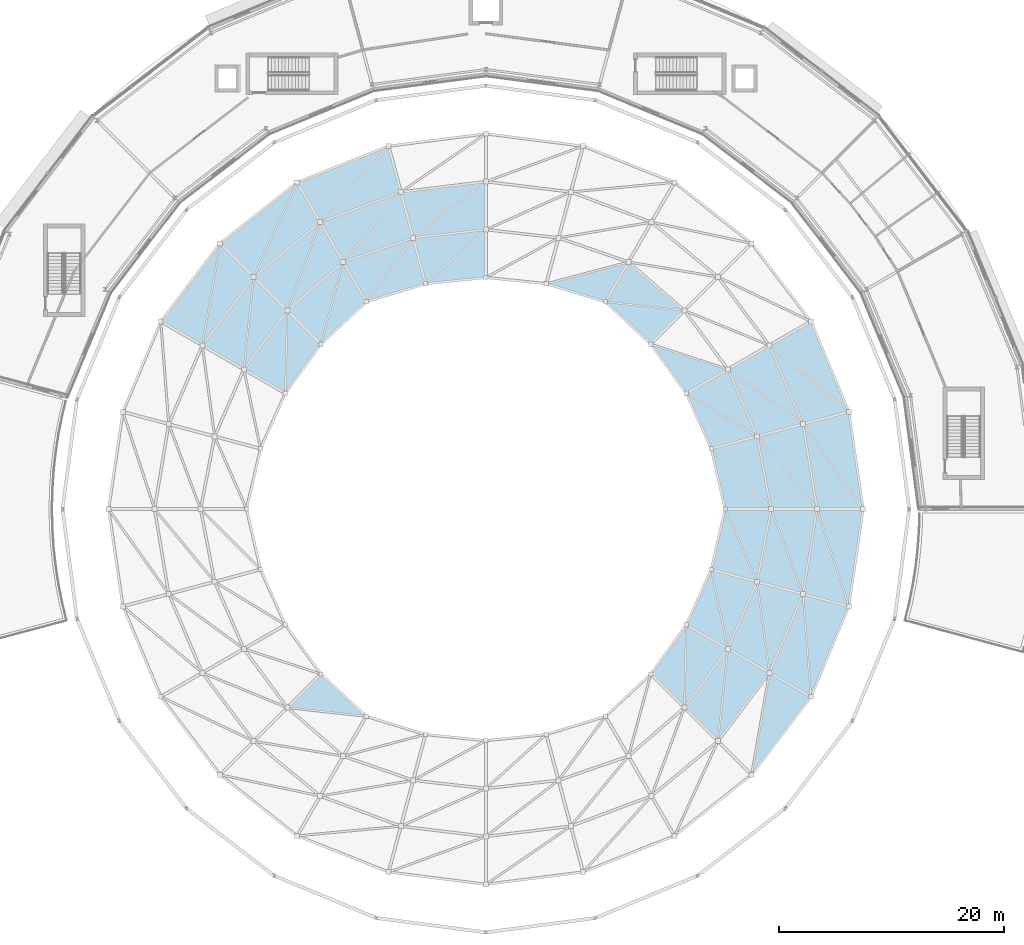
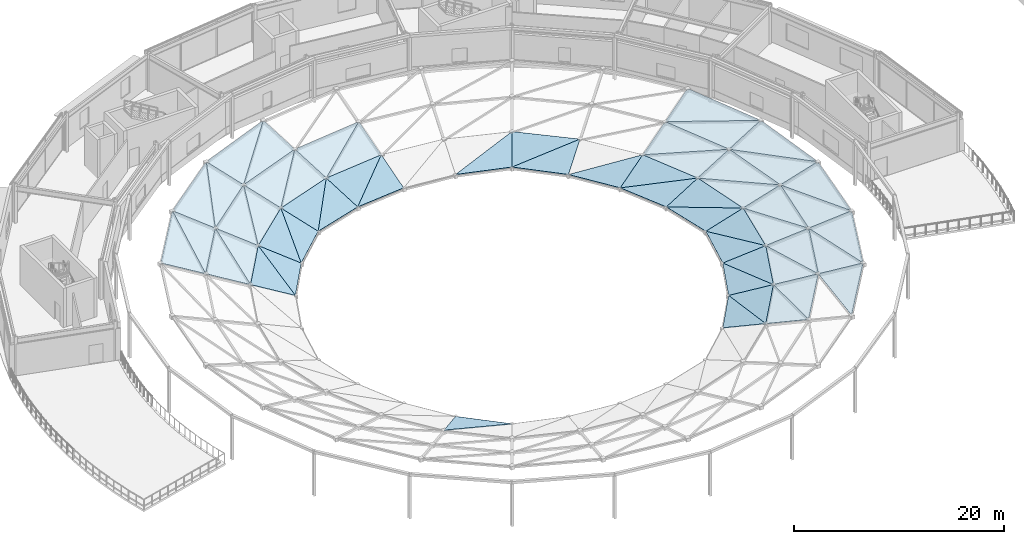
# One storey, part 71 of 89: 56 roofs.
"""IFC4 building model written with IfcOpenShell, lengths in metres."""

from ifc_helpers import new_model, si_unit, direction, frame, origin, place, context, subcontext, project, spatial, polyline, outline, extrude, material, layer, layer_set, type_object, element, save


model = new_model("IFC4")

# Units and contexts
model_context = context("Model", 3, precision=1e-05, world=origin(), true_north=direction((0.0, 1.0)))
body_context = subcontext(model_context, "Body", "Model", "MODEL_VIEW")
ifc_project = project(units=[si_unit("LENGTHUNIT", "METRE"), si_unit("AREAUNIT", "SQUARE_METRE"), si_unit("VOLUMEUNIT", "CUBIC_METRE"), si_unit("PLANEANGLEUNIT", "RADIAN"), si_unit("MASSUNIT", "GRAM", prefix="KILO")], contexts=[model_context])

# Site, building, storey
site_placement = place(None, origin())
site = spatial("IfcSite", under=ifc_project, at=site_placement, CompositionType="ELEMENT")
building_placement = place(site_placement, origin())
building = spatial("IfcBuilding", under=site, at=building_placement, Name="Almandine Court Research Institute", CompositionType="ELEMENT")
storey_placement = place(building_placement, frame((0.0, 0.0, 18.89990234375)))
storey = spatial("IfcBuildingStorey", under=building, at=storey_placement, Name="L04", CompositionType="ELEMENT", Elevation=18.89990234375)

# Roofs
ifc_material = material(Name="Insulated Laminated Low-E Glass Roof Panel", Category="glass")
ifc_layer = layer(ifc_material, 0.080078125)
ifc_layer_set = layer_set([ifc_layer], Name="Insulated Laminated Low-E Glass Roof Panel")
roof_type = type_object("IfcRoofType", Name="Roof-GS-Facet", PredefinedType="PAVILION_ROOF", material=ifc_layer_set)
roof_1_placement = place(storey_placement, frame((120.556884765625, 56.0, 4.153076171875), z_axis=(-0.283826068415, -0.041732060068, 0.957967221804), x_axis=(-0.145469875543, 0.989362681381, 0.0)))
element("IfcRoof", 1, at=roof_1_placement, inside=storey, type_object=roof_type, Name="Atrium Conical Gridshell Roof Facet R1-S00-1", PredefinedType="PAVILION_ROOF", context=body_context, shape_type="SweptSolid", body=[
    extrude(outline(polyline([(0.0, 0.0), (8.743890454989065, 0.0), (8.255346056505834, 4.381937585044748), (0.0, 0.0)])), origin(), (0.0, 0.0, -1.0), 0.080078125),
])
roof_2_placement = place(storey_placement, frame((120.556884765625, 56.0, 4.153076171875), z_axis=(-0.293257096224, -0.048944081643, 0.954779949719), x_axis=(-0.572851388472, 0.80854851926, -0.134501222036)))
element("IfcRoof", 2, at=roof_2_placement, inside=storey, type_object=roof_type, Name="Atrium Conical Gridshell Roof Facet R1-S00-2", PredefinedType="PAVILION_ROOF", context=body_context, shape_type="SweptSolid", body=[
    extrude(outline(polyline([(0.0, 0.0), (9.346235365744553, 7.216449660063518e-16), (2.5136297530763567, 3.4659356886667148), (0.0, 0.0)])), origin(), (0.0, 0.0, -1.0), 0.080078125),
])
roof_3_placement = place(storey_placement, frame((119.284912109375, 64.65087890625, 4.153076171875), z_axis=(-0.262629757854, -0.110160010467, 0.958587701978), x_axis=(-0.386801181098, 0.922163134321, 0.0)))
element("IfcRoof", 3, at=roof_3_placement, inside=storey, type_object=roof_type, Name="Atrium Conical Gridshell Roof Facet R1-S01-1", PredefinedType="PAVILION_ROOF", context=body_context, shape_type="SweptSolid", body=[
    extrude(outline(polyline([(0.0, 0.0), (8.719732253142961, 0.0), (8.182710813275477, 4.413943470876931), (0.0, 0.0)])), origin(), (0.0, 0.0, -1.0), 0.080078125),
])
roof_4_placement = place(storey_placement, frame((119.284912109375, 64.65087890625, 4.153076171875), z_axis=(-0.264695769348, -0.112817517031, 0.957709954809), x_axis=(-0.760102396588, 0.635580681511, -0.135209260003)))
element("IfcRoof", 4, at=roof_4_placement, inside=storey, type_object=roof_type, Name="Atrium Conical Gridshell Roof Facet R1-S01-2", PredefinedType="PAVILION_ROOF", context=body_context, shape_type="SweptSolid", body=[
    extrude(outline(polyline([(0.0, 0.0), (9.297292789720702, 9.43689570931383e-16), (2.577409061732901, 3.5772915951896183), (0.0, 0.0)])), origin(), (0.0, 0.0, -1.0), 0.080078125),
])
roof_5_placement = place(storey_placement, frame((78.34912109375, 88.284912109375, 4.153076171875), z_axis=(0.10931732029, -0.275615414194, 0.955031866978), x_axis=(-0.929552993043, -0.368688531317, 0.0)))
element("IfcRoof", 5, at=roof_5_placement, inside=storey, type_object=roof_type, Name="Atrium Conical Gridshell Roof Facet R1-S07-1", PredefinedType="PAVILION_ROOF", context=body_context, shape_type="SweptSolid", body=[
    extrude(outline(polyline([(0.0, 0.0), (8.744174768902253, 0.0), (8.147881036951567, 4.23968504277842), (0.0, 0.0)])), origin(), (0.0, 0.0, -1.0), 0.080078125),
])
roof_6_placement = place(storey_placement, frame((78.34912109375, 88.284912109375, 4.153076171875), z_axis=(0.100378328867, -0.26815914072, 0.958130923383), x_axis=(-0.662068876905, -0.736840024758, -0.136863363063)))
element("IfcRoof", 6, at=roof_6_placement, inside=storey, type_object=roof_type, Name="Atrium Conical Gridshell Roof Facet R1-S07-2", PredefinedType="PAVILION_ROOF", context=body_context, shape_type="SweptSolid", body=[
    extrude(outline(polyline([(0.0, 0.0), (9.18492758024112, -4.440892098500626e-16), (2.455552742421137, 3.662009469909272), (0.0, 0.0)])), origin(), (0.0, 0.0, -1.0), 0.080078125),
])
roof_7_placement = place(storey_placement, frame((70.220947265625, 85.06103515625, 4.153076171875), z_axis=(0.178080561563, -0.224937964261, 0.957961494961), x_axis=(-0.784037897323, -0.620712957461, 0.0)))
element("IfcRoof", 7, at=roof_7_placement, inside=storey, type_object=roof_type, Name="Atrium Conical Gridshell Roof Facet R1-S08-1", PredefinedType="PAVILION_ROOF", context=body_context, shape_type="SweptSolid", body=[
    extrude(outline(polyline([(0.0, 0.0), (8.743174905385716, 0.0), (8.255153924191644, 4.381645510391882), (0.0, 0.0)])), origin(), (0.0, 0.0, -1.0), 0.080078125),
])
roof_8_placement = place(storey_placement, frame((70.220947265625, 85.06103515625, 4.153076171875), z_axis=(0.189017433178, -0.229488687916, 0.954781311125), x_axis=(-0.413756992385, -0.900396237991, -0.134505635065)))
element("IfcRoof", 8, at=roof_8_placement, inside=storey, type_object=roof_type, Name="Atrium Conical Gridshell Roof Facet R1-S08-2", PredefinedType="PAVILION_ROOF", context=body_context, shape_type="SweptSolid", body=[
    extrude(outline(polyline([(0.0, 0.0), (9.345928722755916, 4.440892098500626e-16), (2.5130295225764385, 3.466291692195272), (0.0, 0.0)])), origin(), (0.0, 0.0, -1.0), 0.080078125),
])
roof_9_placement = place(storey_placement, frame((63.365966796875, 79.634033203125, 4.153076171875), z_axis=(0.226723482191, -0.172376822981, 0.958583691454), x_axis=(-0.605232319599, -0.796048892539, 0.0)))
element("IfcRoof", 9, at=roof_9_placement, inside=storey, type_object=roof_type, Name="Atrium Conical Gridshell Roof Facet R1-S09-1", PredefinedType="PAVILION_ROOF", context=body_context, shape_type="SweptSolid", body=[
    extrude(outline(polyline([(0.0, 0.0), (8.720744086123446, 0.0), (8.182005976210437, 4.413734273820954), (0.0, 0.0)])), origin(), (0.0, 0.0, -1.0), 0.080078125),
])
roof_10_placement = place(storey_placement, frame((63.365966796875, 79.634033203125, 4.153076171875), z_axis=(0.230070561137, -0.172839032349, 0.957702566455), x_axis=(-0.170383683555, -0.976055851833, -0.135219726669)))
element("IfcRoof", 10, at=roof_10_placement, inside=storey, type_object=roof_type, Name="Atrium Conical Gridshell Roof Facet R1-S09-2", PredefinedType="PAVILION_ROOF", context=body_context, shape_type="SweptSolid", body=[
    extrude(outline(polyline([(0.0, 0.0), (9.296573133937317, 5.551115123125783e-17), (2.5773603613700318, 3.576897457918175), (0.0, 0.0)])), origin(), (0.0, 0.0, -1.0), 0.080078125),
])
roof_11_placement = place(storey_placement, frame((110.634033203125, 32.365966796875, 4.153076171875), z_axis=(-0.226723482191, 0.172376822981, 0.958583691454), x_axis=(0.605232319599, 0.796048892539, 0.0)))
element("IfcRoof", 11, at=roof_11_placement, inside=storey, type_object=roof_type, Name="Atrium Conical Gridshell Roof Facet R1-S21-1", PredefinedType="PAVILION_ROOF", context=body_context, shape_type="SweptSolid", body=[
    extrude(outline(polyline([(0.0, 0.0), (8.720744086123446, 0.0), (8.182005976210437, 4.413734273820954), (0.0, 0.0)])), origin(), (0.0, 0.0, -1.0), 0.080078125),
])
roof_12_placement = place(storey_placement, frame((115.912109375, 39.30810546875, 4.153076171875), z_axis=(-0.265144745742, 0.11121492174, 0.957773201227), x_axis=(0.386801181098, 0.922163134321, 0.0)))
element("IfcRoof", 12, at=roof_12_placement, inside=storey, type_object=roof_type, Name="Atrium Conical Gridshell Roof Facet R1-S22-1", PredefinedType="PAVILION_ROOF", context=body_context, shape_type="SweptSolid", body=[
    extrude(outline(polyline([(0.0, 0.0), (8.719732253142961, 0.0), (8.14963881001134, 4.372075719222562), (0.0, 0.0)])), origin(), (0.0, 0.0, -1.0), 0.080078125),
])
roof_13_placement = place(storey_placement, frame((115.912109375, 39.30810546875, 4.153076171875), z_axis=(-0.261821838708, 0.111592602407, 0.958643007518), x_axis=(-0.076687175308, 0.98774665697, -0.13592504842)))
element("IfcRoof", 13, at=roof_13_placement, inside=storey, type_object=roof_type, Name="Atrium Conical Gridshell Roof Facet R1-S22-2", PredefinedType="PAVILION_ROOF", context=body_context, shape_type="SweptSolid", body=[
    extrude(outline(polyline([(0.0, 0.0), (9.248332759382013, 0.0), (2.5598719561917775, 3.635704135222958), (0.0, 0.0)])), origin(), (0.0, 0.0, -1.0), 0.080078125),
])
roof_14_placement = place(storey_placement, frame((119.284912109375, 47.34912109375, 4.153076171875), z_axis=(-0.293335764362, 0.043130307962, 0.955036075696), x_axis=(0.145469875543, 0.989362681381, 0.0)))
element("IfcRoof", 14, at=roof_14_placement, inside=storey, type_object=roof_type, Name="Atrium Conical Gridshell Roof Facet R1-S23-1", PredefinedType="PAVILION_ROOF", context=body_context, shape_type="SweptSolid", body=[
    extrude(outline(polyline([(0.0, 0.0), (8.743890454989065, 0.0), (8.148515212409722, 4.2398788961535105), (0.0, 0.0)])), origin(), (0.0, 0.0, -1.0), 0.080078125),
])
roof_15_placement = place(storey_placement, frame((119.284912109375, 47.34912109375, 4.153076171875), z_axis=(-0.282427689223, 0.047136673102, 0.958129810834), x_axis=(-0.307090123161, 0.941789114081, -0.136853647581)))
element("IfcRoof", 15, at=roof_15_placement, inside=storey, type_object=roof_type, Name="Atrium Conical Gridshell Roof Facet R1-S23-2", PredefinedType="PAVILION_ROOF", context=body_context, shape_type="SweptSolid", body=[
    extrude(outline(polyline([(0.0, 0.0), (9.185579634455333, -2.220446049250313e-16), (2.4558992458114184, 3.6617770990244694), (0.0, 0.0)])), origin(), (0.0, 0.0, -1.0), 0.080078125),
])
roof_16_placement = place(storey_placement, frame((116.464111328125, 56.0, 2.89599609375), z_axis=(-0.282451555917, -0.04714065641, 0.958122579357), x_axis=(-0.164621185821, 0.986356865023, 0.0)))
element("IfcRoof", 16, at=roof_16_placement, inside=storey, type_object=roof_type, Name="Atrium Conical Gridshell Roof Facet R2-S00-1", PredefinedType="PAVILION_ROOF", context=body_context, shape_type="SweptSolid", body=[
    extrude(outline(polyline([(0.0, 0.0), (7.6614104221245425, -2.220446049250313e-16), (7.25412966256021, 4.389031425712085), (0.0, 0.0)])), origin(), (0.0, 0.0, -1.0), 0.080078125),
])
roof_17_placement = place(storey_placement, frame((116.464111328125, 56.0, 2.89599609375), z_axis=(-0.293069658958, -0.05663887788, 0.954411972112), x_axis=(-0.63006459619, 0.76226269322, -0.148236942607)))
element("IfcRoof", 17, at=roof_17_placement, inside=storey, type_object=roof_type, Name="Atrium Conical Gridshell Roof Facet R2-S00-2", PredefinedType="PAVILION_ROOF", context=body_context, shape_type="SweptSolid", body=[
    extrude(outline(polyline([(0.0, 0.0), (8.478560845870257, -4.440892098500626e-16), (2.765174984293333, 3.2689809994660584), (0.0, 0.0)])), origin(), (0.0, 0.0, -1.0), 0.080078125),
])
roof_18_placement = place(storey_placement, frame((115.202880859375, 63.556884765625, 2.89599609375), z_axis=(-0.261798958721, -0.111582850595, 0.958650391262), x_axis=(-0.392087762798, 0.91992781579, 0.0)))
element("IfcRoof", 18, at=roof_18_placement, inside=storey, type_object=roof_type, Name="Atrium Conical Gridshell Roof Facet R2-S01-1", PredefinedType="PAVILION_ROOF", context=body_context, shape_type="SweptSolid", body=[
    extrude(outline(polyline([(0.0, 0.0), (7.61274276950755, 0.0), (7.098509923140728, 4.416359577751351), (0.0, 0.0)])), origin(), (0.0, 0.0, -1.0), 0.080078125),
])
roof_19_placement = place(storey_placement, frame((115.202880859375, 63.556884765625, 2.89599609375), z_axis=(-0.26410103921, -0.115007034881, 0.957613712838), x_axis=(-0.798781399602, 0.582535420585, -0.150335489531)))
element("IfcRoof", 19, at=roof_19_placement, inside=storey, type_object=roof_type, Name="Atrium Conical Gridshell Roof Facet R2-S01-2", PredefinedType="PAVILION_ROOF", context=body_context, shape_type="SweptSolid", body=[
    extrude(outline(polyline([(0.0, 0.0), (8.360207835270813, 3.3306690738754696e-16), (2.811332269243186, 3.394979432177982), (0.0, 0.0)])), origin(), (0.0, 0.0, -1.0), 0.080078125),
])
roof_20_placement = place(storey_placement, frame((87.0, 85.1201171875, 2.89599609375), z_axis=(0.034673251032, -0.285664396914, 0.957702259577), x_axis=(-0.992714148527, -0.120493233483, 0.0)))
element("IfcRoof", 20, at=roof_20_placement, inside=storey, type_object=roof_type, Name="Atrium Conical Gridshell Roof Facet R2-S06-1", PredefinedType="PAVILION_ROOF", context=body_context, shape_type="SweptSolid", body=[
    extrude(outline(polyline([(0.0, 0.0), (7.612347196664603, 0.0), (7.01803379288752, 4.36763849821508), (0.0, 0.0)])), origin(), (0.0, 0.0, -1.0), 0.080078125),
])
roof_21_placement = place(storey_placement, frame((87.0, 85.1201171875, 2.89599609375), z_axis=(0.032037963292, -0.282514644994, 0.958727825961), x_axis=(-0.781851131837, -0.604640993161, -0.152046298984)))
element("IfcRoof", 21, at=roof_21_placement, inside=storey, type_object=roof_type, Name="Atrium Conical Gridshell Roof Facet R2-S06-2", PredefinedType="PAVILION_ROOF", context=body_context, shape_type="SweptSolid", body=[
    extrude(outline(polyline([(0.0, 0.0), (8.266139629186146, 1.27675647831893e-15), (2.769973754319712, 3.478257207827073), (0.0, 0.0)])), origin(), (0.0, 0.0, -1.0), 0.080078125),
])
roof_22_placement = place(storey_placement, frame((79.443115234375, 84.202880859375, 2.89599609375), z_axis=(0.104199040677, -0.278366112759, 0.954806193523), x_axis=(-0.936537239309, -0.350568109484, 0.0)))
element("IfcRoof", 22, at=roof_22_placement, inside=storey, type_object=roof_type, Name="Atrium Conical Gridshell Roof Facet R2-S07-1", PredefinedType="PAVILION_ROOF", context=body_context, shape_type="SweptSolid", body=[
    extrude(outline(polyline([(0.0, 0.0), (7.661253100217347, 0.0), (6.98801517356066, 4.228509165510924), (0.0, 0.0)])), origin(), (0.0, 0.0, -1.0), 0.080078125),
])
roof_23_placement = place(storey_placement, frame((79.443115234375, 84.202880859375, 2.89599609375), z_axis=(0.09332914596, -0.270121486378, 0.958292258714), x_axis=(-0.627973548145, -0.762870241124, -0.153877282396)))
element("IfcRoof", 23, at=roof_23_placement, inside=storey, type_object=roof_type, Name="Atrium Conical Gridshell Roof Facet R2-S07-2", PredefinedType="PAVILION_ROOF", context=body_context, shape_type="SweptSolid", body=[
    extrude(outline(polyline([(0.0, 0.0), (8.167780961113241, -1.6653345369377348e-16), (2.6195280422159004, 3.545073667646994), (0.0, 0.0)])), origin(), (0.0, 0.0, -1.0), 0.080078125),
])
roof_24_placement = place(storey_placement, frame((72.26806640625, 81.51708984375, 2.89599609375), z_axis=(0.182020834448, -0.220994020332, 0.958138851526), x_axis=(-0.77188608333, -0.635760862558, 0.0)))
element("IfcRoof", 24, at=roof_24_placement, inside=storey, type_object=roof_type, Name="Atrium Conical Gridshell Roof Facet R2-S08-1", PredefinedType="PAVILION_ROOF", context=body_context, shape_type="SweptSolid", body=[
    extrude(outline(polyline([(0.0, 0.0), (7.661833303798466, 8.881784197001252e-16), (7.255086092609019, 4.389866149894019), (0.0, 0.0)])), origin(), (0.0, 0.0, -1.0), 0.080078125),
])
roof_25_placement = place(storey_placement, frame((72.26806640625, 81.51708984375, 2.89599609375), z_axis=(0.195626409375, -0.225463034914, 0.954409098784), x_axis=(-0.345057843919, -0.926804927293, -0.148215083896)))
element("IfcRoof", 25, at=roof_25_placement, inside=storey, type_object=roof_type, Name="Atrium Conical Gridshell Roof Facet R2-S08-2", PredefinedType="PAVILION_ROOF", context=body_context, shape_type="SweptSolid", body=[
    extrude(outline(polyline([(0.0, 0.0), (8.479811261175223, 6.106226635438361e-16), (2.766006071552796, 3.2684475643387567), (0.0, 0.0)])), origin(), (0.0, 0.0, -1.0), 0.080078125),
])
roof_26_placement = place(storey_placement, frame((66.35400390625, 76.64599609375, 2.89599609375), z_axis=(0.227524608021, -0.170926401413, 0.95865359648), x_axis=(-0.600636143888, -0.799522496654, 0.0)))
element("IfcRoof", 26, at=roof_26_placement, inside=storey, type_object=roof_type, Name="Atrium Conical Gridshell Roof Facet R2-S09-1", PredefinedType="PAVILION_ROOF", context=body_context, shape_type="SweptSolid", body=[
    extrude(outline(polyline([(0.0, 0.0), (7.611965298626422, 4.440892098500626e-16), (7.099173576134497, 4.416527141275415), (0.0, 0.0)])), origin(), (0.0, 0.0, -1.0), 0.080078125),
])
roof_27_placement = place(storey_placement, frame((66.35400390625, 76.64599609375, 2.89599609375), z_axis=(0.231595265568, -0.171204957123, 0.95762857916), x_axis=(-0.105121514489, -0.983032162572, -0.150323765719)))
element("IfcRoof", 27, at=roof_27_placement, inside=storey, type_object=roof_type, Name="Atrium Conical Gridshell Roof Facet R2-S09-2", PredefinedType="PAVILION_ROOF", context=body_context, shape_type="SweptSolid", body=[
    extrude(outline(polyline([(0.0, 0.0), (8.36085985133758, -1.6653345369377348e-16), (2.8121619062053265, 3.3953075738559146), (0.0, 0.0)])), origin(), (0.0, 0.0, -1.0), 0.080078125),
])
roof_28_placement = place(storey_placement, frame((107.64599609375, 35.35400390625, 2.89599609375), z_axis=(-0.227524608021, 0.170926401413, 0.95865359648), x_axis=(0.600636143888, 0.799522496654, 0.0)))
element("IfcRoof", 28, at=roof_28_placement, inside=storey, type_object=roof_type, Name="Atrium Conical Gridshell Roof Facet R2-S21-1", PredefinedType="PAVILION_ROOF", context=body_context, shape_type="SweptSolid", body=[
    extrude(outline(polyline([(0.0, 0.0), (7.611965298626422, 4.440892098500626e-16), (7.099173576134497, 4.416527141275415), (0.0, 0.0)])), origin(), (0.0, 0.0, -1.0), 0.080078125),
])
roof_29_placement = place(storey_placement, frame((107.64599609375, 35.35400390625, 2.89599609375), z_axis=(-0.231595265568, 0.171204957123, 0.95762857916), x_axis=(0.105121514489, 0.983032162572, -0.150323765719)))
element("IfcRoof", 29, at=roof_29_placement, inside=storey, type_object=roof_type, Name="Atrium Conical Gridshell Roof Facet R2-S21-2", PredefinedType="PAVILION_ROOF", context=body_context, shape_type="SweptSolid", body=[
    extrude(outline(polyline([(0.0, 0.0), (8.36085985133758, -1.6653345369377348e-16), (2.8121619062053265, 3.3953075738559146), (0.0, 0.0)])), origin(), (0.0, 0.0, -1.0), 0.080078125),
])
roof_30_placement = place(storey_placement, frame((112.218017578125, 41.43994140625, 2.89599609375), z_axis=(-0.264713781991, 0.112825194304, 0.957704071806), x_axis=(0.392087762798, 0.91992781579, 0.0)))
element("IfcRoof", 30, at=roof_30_placement, inside=storey, type_object=roof_type, Name="Atrium Conical Gridshell Roof Facet R2-S22-1", PredefinedType="PAVILION_ROOF", context=body_context, shape_type="SweptSolid", body=[
    extrude(outline(polyline([(0.0, 0.0), (7.61274276950755, -4.440892098500626e-16), (7.019102532054714, 4.367730044482661), (0.0, 0.0)])), origin(), (0.0, 0.0, -1.0), 0.080078125),
])
roof_31_placement = place(storey_placement, frame((112.218017578125, 41.43994140625, 2.89599609375), z_axis=(-0.260700676283, 0.113526292288, 0.958721512403), x_axis=(-0.132567390921, 0.979445330206, -0.152028720976)))
element("IfcRoof", 31, at=roof_31_placement, inside=storey, type_object=roof_type, Name="Atrium Conical Gridshell Roof Facet R2-S22-2", PredefinedType="PAVILION_ROOF", context=body_context, shape_type="SweptSolid", body=[
    extrude(outline(polyline([(0.0, 0.0), (8.267095384533398, 1.1102230246251565e-16), (2.7698741767733304, 3.4779971801487837), (0.0, 0.0)])), origin(), (0.0, 0.0, -1.0), 0.080078125),
])
roof_32_placement = place(storey_placement, frame((115.202880859375, 48.443115234375, 2.89599609375), z_axis=(-0.29318923134, 0.048932755116, 0.954801372068), x_axis=(0.164621185821, 0.986356865023, 0.0)))
element("IfcRoof", 32, at=roof_32_placement, inside=storey, type_object=roof_type, Name="Atrium Conical Gridshell Roof Facet R2-S23-1", PredefinedType="PAVILION_ROOF", context=body_context, shape_type="SweptSolid", body=[
    extrude(outline(polyline([(0.0, 0.0), (7.6614104221245425, 0.0), (6.987613014828215, 4.228288840955935), (0.0, 0.0)])), origin(), (0.0, 0.0, -1.0), 0.080078125),
])
roof_33_placement = place(storey_placement, frame((115.202880859375, 48.443115234375, 2.89599609375), z_axis=(-0.280602939202, 0.054229549598, 0.958290742135), x_axis=(-0.346721584197, 0.925258487425, -0.15388591391)))
element("IfcRoof", 33, at=roof_33_placement, inside=storey, type_object=roof_type, Name="Atrium Conical Gridshell Roof Facet R2-S23-2", PredefinedType="PAVILION_ROOF", context=body_context, shape_type="SweptSolid", body=[
    extrude(outline(polyline([(0.0, 0.0), (8.167322827435507, 1.1102230246251565e-16), (2.620541808303433, 3.544324350836609), (0.0, 0.0)])), origin(), (0.0, 0.0, -1.0), 0.080078125),
])
roof_34_placement = place(storey_placement, frame((112.37109375, 56.0, 1.63916015625), z_axis=(-0.280794031823, -0.054266480312, 0.958232675715), x_axis=(-0.189749736202, 0.981832489588, 0.0)))
element("IfcRoof", 34, at=roof_34_placement, inside=storey, type_object=roof_type, Name="Atrium Conical Gridshell Roof Facet R3-S00-1", PredefinedType="PAVILION_ROOF", context=body_context, shape_type="SweptSolid", body=[
    extrude(outline(polyline([(0.0, 0.0), (6.582477860056744, 0.0), (6.284121748215083, 4.398957041530357), (0.0, 0.0)])), origin(), (0.0, 0.0, -1.0), 0.080078125),
])
roof_35_placement = place(storey_placement, frame((112.37109375, 56.0, 1.63916015625), z_axis=(-0.293192294491, -0.067646430921, 0.953657296325), x_axis=(-0.694981239431, 0.700073609751, -0.164006151621)))
element("IfcRoof", 35, at=roof_35_placement, inside=storey, type_object=roof_type, Name="Atrium Conical Gridshell Roof Facet R3-S00-2", PredefinedType="PAVILION_ROOF", context=body_context, shape_type="SweptSolid", body=[
    extrude(outline(polyline([(0.0, 0.0), (7.670789346580917, -7.216449660063518e-16), (3.0502207649907027, 3.003940656770282), (0.0, 0.0)])), origin(), (0.0, 0.0, -1.0), 0.080078125),
])
roof_36_placement = place(storey_placement, frame((111.1220703125, 62.462890625, 1.63916015625), z_axis=(-0.260917446907, -0.113620688534, 0.958651357396), x_axis=(-0.399253028635, 0.916840781775, 0.0)))
element("IfcRoof", 36, at=roof_36_placement, inside=storey, type_object=roof_type, Name="Atrium Conical Gridshell Roof Facet R3-S01-1", PredefinedType="PAVILION_ROOF", context=body_context, shape_type="SweptSolid", body=[
    extrude(outline(polyline([(0.0, 0.0), (6.505067670068464, -4.440892098500626e-16), (6.025069568507236, 4.420699526165446), (0.0, 0.0)])), origin(), (0.0, 0.0, -1.0), 0.080078125),
])
roof_37_placement = place(storey_placement, frame((111.1220703125, 62.462890625, 1.63916015625), z_axis=(-0.263436180997, -0.118162332226, 0.957412681024), x_axis=(-0.841845354151, 0.51279124025, -0.168349468719)))
element("IfcRoof", 37, at=roof_37_placement, inside=storey, type_object=roof_type, Name="Atrium Conical Gridshell Roof Facet R3-S01-2", PredefinedType="PAVILION_ROOF", context=body_context, shape_type="SweptSolid", body=[
    extrude(outline(polyline([(0.0, 0.0), (7.472887501226776, 1.6653345369377348e-16), (3.08786756405083, 3.147207226984836), (0.0, 0.0)])), origin(), (0.0, 0.0, -1.0), 0.080078125),
])
roof_38_placement = place(storey_placement, frame((108.52490234375, 68.427001953125, 1.63916015625), z_axis=(-0.23042865592, -0.166494990896, 0.958739825259), x_axis=(-0.936282703747, 0.30634764582, -0.171830784686)))
element("IfcRoof", 38, at=roof_38_placement, inside=storey, type_object=roof_type, Name="Atrium Conical Gridshell Roof Facet R3-S02-2", PredefinedType="PAVILION_ROOF", context=body_context, shape_type="SweptSolid", body=[
    extrude(outline(polyline([(0.0, 0.0), (7.321485744977475, -2.7755575615628914e-16), (3.0215008179273672, 3.262440081504338), (0.0, 0.0)])), origin(), (0.0, 0.0, -1.0), 0.080078125),
])
roof_39_placement = place(storey_placement, frame((104.657958984375, 73.657958984375, 1.63916015625), z_axis=(-0.195804873977, -0.22566871865, 0.954323886712), x_axis=(-0.755315717583, 0.655361096474, 0.0)))
element("IfcRoof", 39, at=roof_39_placement, inside=storey, type_object=roof_type, Name="Atrium Conical Gridshell Roof Facet R3-S03-1", PredefinedType="PAVILION_ROOF", context=body_context, shape_type="SweptSolid", body=[
    extrude(outline(polyline([(0.0, 0.0), (6.582576944160101, 0.0), (5.806234320995299, 4.2107296038076605), (0.0, 0.0)])), origin(), (0.0, 0.0, -1.0), 0.080078125),
])
roof_40_placement = place(storey_placement, frame((104.657958984375, 73.657958984375, 1.63916015625), z_axis=(-0.194683776805, -0.208823740585, 0.958379294652), x_axis=(-0.978625307412, 0.107359451116, -0.175403694229)))
element("IfcRoof", 40, at=roof_40_placement, inside=storey, type_object=roof_type, Name="Atrium Conical Gridshell Roof Facet R3-S03-2", PredefinedType="PAVILION_ROOF", context=body_context, shape_type="SweptSolid", body=[
    extrude(outline(polyline([(0.0, 0.0), (7.172349739568334, -5.551115123125783e-17), (2.8240424930594408, 3.3858857101827122), (0.0, 0.0)])), origin(), (0.0, 0.0, -1.0), 0.080078125),
])
roof_41_placement = place(storey_placement, frame((99.68603515625, 77.971923828125, 1.63916015625), z_axis=(-0.08802402176, -0.287694443979, 0.953668537017), x_axis=(-0.953765415224, -0.251856962246, -0.164010985272)))
element("IfcRoof", 41, at=roof_41_placement, inside=storey, type_object=roof_type, Name="Atrium Conical Gridshell Roof Facet R3-S04-2", PredefinedType="PAVILION_ROOF", context=body_context, shape_type="SweptSolid", body=[
    extrude(outline(polyline([(0.0, 0.0), (7.670563276849605, -1.1102230246251565e-16), (3.051373847101757, 3.0036759662367127), (0.0, 0.0)])), origin(), (0.0, 0.0, -1.0), 0.080078125),
])
roof_42_placement = place(storey_placement, frame((87.0, 80.85498046875, 1.63916015625), z_axis=(0.032480516907, -0.286417136426, 0.957554301323), x_axis=(-0.993631259919, -0.11268060752, 0.0)))
element("IfcRoof", 42, at=roof_42_placement, inside=storey, type_object=roof_type, Name="Atrium Conical Gridshell Roof Facet R3-S06-1", PredefinedType="PAVILION_ROOF", context=body_context, shape_type="SweptSolid", body=[
    extrude(outline(polyline([(0.0, 0.0), (6.504314916103564, 1.1102230246251565e-16), (5.878466829760987, 4.364419044446137), (0.0, 0.0)])), origin(), (0.0, 0.0, -1.0), 0.080078125),
])
roof_43_placement = place(storey_placement, frame((87.0, 80.85498046875, 1.63916015625), z_axis=(0.028967426915, -0.282808487542, 0.958738883926), x_axis=(-0.733471145536, -0.65764311385, -0.171830187895)))
element("IfcRoof", 43, at=roof_43_placement, inside=storey, type_object=roof_type, Name="Atrium Conical Gridshell Roof Facet R3-S06-2", PredefinedType="PAVILION_ROOF", context=body_context, shape_type="SweptSolid", body=[
    extrude(outline(polyline([(0.0, 0.0), (7.321511173529977, -4.996003610813204e-16), (3.020949344256639, 3.2628025182964655), (0.0, 0.0)])), origin(), (0.0, 0.0, -1.0), 0.080078125),
])
roof_44_placement = place(storey_placement, frame((80.537109375, 80.1220703125, 1.63916015625), z_axis=(0.097574451259, -0.282408625251, 0.954318916739), x_axis=(-0.945174599161, -0.326565425453, 0.0)))
element("IfcRoof", 44, at=roof_44_placement, inside=storey, type_object=roof_type, Name="Atrium Conical Gridshell Roof Facet R3-S07-1", PredefinedType="PAVILION_ROOF", context=body_context, shape_type="SweptSolid", body=[
    extrude(outline(polyline([(0.0, 0.0), (6.584121639299881, 0.0), (5.8065666348858205, 4.210505893599398), (0.0, 0.0)])), origin(), (0.0, 0.0, -1.0), 0.080078125),
])
roof_45_placement = place(storey_placement, frame((80.537109375, 80.1220703125, 1.63916015625), z_axis=(0.083529696076, -0.273005356809, 0.958379290796), x_axis=(-0.582228331536, -0.793879647846, -0.175400326946)))
element("IfcRoof", 45, at=roof_45_placement, inside=storey, type_object=roof_type, Name="Atrium Conical Gridshell Roof Facet R3-S07-2", PredefinedType="PAVILION_ROOF", context=body_context, shape_type="SweptSolid", body=[
    extrude(outline(polyline([(0.0, 0.0), (7.172487432223533, 2.220446049250313e-16), (2.8250614220666384, 3.385094885561351), (0.0, 0.0)])), origin(), (0.0, 0.0, -1.0), 0.080078125),
])
roof_46_placement = place(storey_placement, frame((74.31396484375, 77.971923828125, 1.63916015625), z_axis=(0.187429404514, -0.216015836046, 0.958231379626), x_axis=(-0.755315717583, -0.655361096474, 0.0)))
element("IfcRoof", 46, at=roof_46_placement, inside=storey, type_object=roof_type, Name="Atrium Conical Gridshell Roof Facet R3-S08-1", PredefinedType="PAVILION_ROOF", context=body_context, shape_type="SweptSolid", body=[
    extrude(outline(polyline([(0.0, 0.0), (6.582576944160101, 0.0), (6.283908827032601, 4.398890246509497), (0.0, 0.0)])), origin(), (0.0, 0.0, -1.0), 0.080078125),
])
roof_47_placement = place(storey_placement, frame((74.31396484375, 77.971923828125, 1.63916015625), z_axis=(0.205144094117, -0.2200437951, 0.953675326769), x_axis=(-0.258635930429, -0.951949549989, -0.16401070016)))
element("IfcRoof", 47, at=roof_47_placement, inside=storey, type_object=roof_type, Name="Atrium Conical Gridshell Roof Facet R3-S08-2", PredefinedType="PAVILION_ROOF", context=body_context, shape_type="SweptSolid", body=[
    extrude(outline(polyline([(0.0, 0.0), (7.670576611135216, -1.1102230246251565e-16), (3.0505333322544037, 3.004529589424852), (0.0, 0.0)])), origin(), (0.0, 0.0, -1.0), 0.080078125),
])
roof_48_placement = place(storey_placement, frame((69.342041015625, 73.657958984375, 1.63916015625), z_axis=(0.228850264142, -0.169175736663, 0.958648593973), x_axis=(-0.594449099099, -0.804133240564, 0.0)))
element("IfcRoof", 48, at=roof_48_placement, inside=storey, type_object=roof_type, Name="Atrium Conical Gridshell Roof Facet R3-S09-1", PredefinedType="PAVILION_ROOF", context=body_context, shape_type="SweptSolid", body=[
    extrude(outline(polyline([(0.0, 0.0), (6.505087425038823, 4.440892098500626e-16), (6.023759475936872, 4.420554929367476), (0.0, 0.0)])), origin(), (0.0, 0.0, -1.0), 0.080078125),
])
roof_49_placement = place(storey_placement, frame((69.342041015625, 73.657958984375, 1.63916015625), z_axis=(0.234015514066, -0.169086656034, 0.957416545673), x_axis=(-0.023166701546, -0.985450707919, -0.168375194732)))
element("IfcRoof", 49, at=roof_49_placement, inside=storey, type_object=roof_type, Name="Atrium Conical Gridshell Roof Facet R3-S09-2", PredefinedType="PAVILION_ROOF", context=body_context, shape_type="SweptSolid", body=[
    extrude(outline(polyline([(0.0, 0.0), (7.4717457202111985, 0.0), (3.087165852651036, 3.14783180034294), (0.0, 0.0)])), origin(), (0.0, 0.0, -1.0), 0.080078125),
])
roof_50_placement = place(storey_placement, frame((69.342041015625, 38.342041015625, 1.63916015625), z_axis=(0.194683776805, 0.208823740585, 0.958379294652), x_axis=(0.978625307412, -0.107359451116, -0.175403694229)))
element("IfcRoof", 50, at=roof_50_placement, inside=storey, type_object=roof_type, Name="Atrium Conical Gridshell Roof Facet R3-S15-2", PredefinedType="PAVILION_ROOF", context=body_context, shape_type="SweptSolid", body=[
    extrude(outline(polyline([(0.0, 0.0), (7.172349739568334, -5.551115123125783e-17), (2.8240424930594408, 3.3858857101827122), (0.0, 0.0)])), origin(), (0.0, 0.0, -1.0), 0.080078125),
])
roof_51_placement = place(storey_placement, frame((104.657958984375, 38.342041015625, 1.63916015625), z_axis=(-0.228850264142, 0.169175736663, 0.958648593973), x_axis=(0.594449099099, 0.804133240564, 0.0)))
element("IfcRoof", 51, at=roof_51_placement, inside=storey, type_object=roof_type, Name="Atrium Conical Gridshell Roof Facet R3-S21-1", PredefinedType="PAVILION_ROOF", context=body_context, shape_type="SweptSolid", body=[
    extrude(outline(polyline([(0.0, 0.0), (6.505087425038823, 4.440892098500626e-16), (6.023759475936872, 4.420554929367476), (0.0, 0.0)])), origin(), (0.0, 0.0, -1.0), 0.080078125),
])
roof_52_placement = place(storey_placement, frame((104.657958984375, 38.342041015625, 1.63916015625), z_axis=(-0.234015514066, 0.169086656034, 0.957416545673), x_axis=(0.023166701546, 0.985450707919, -0.168375194732)))
element("IfcRoof", 52, at=roof_52_placement, inside=storey, type_object=roof_type, Name="Atrium Conical Gridshell Roof Facet R3-S21-2", PredefinedType="PAVILION_ROOF", context=body_context, shape_type="SweptSolid", body=[
    extrude(outline(polyline([(0.0, 0.0), (7.4717457202111985, 0.0), (3.087165852651036, 3.14783180034294), (0.0, 0.0)])), origin(), (0.0, 0.0, -1.0), 0.080078125),
])
roof_53_placement = place(storey_placement, frame((108.52490234375, 43.572998046875, 1.63916015625), z_axis=(-0.264299590424, 0.115093497193, 0.957548543629), x_axis=(0.399253028635, 0.916840781775, 0.0)))
element("IfcRoof", 53, at=roof_53_placement, inside=storey, type_object=roof_type, Name="Atrium Conical Gridshell Roof Facet R3-S22-1", PredefinedType="PAVILION_ROOF", context=body_context, shape_type="SweptSolid", body=[
    extrude(outline(polyline([(0.0, 0.0), (6.505067670068464, 4.440892098500626e-16), (5.8772035832640155, 4.364129479197885), (0.0, 0.0)])), origin(), (0.0, 0.0, -1.0), 0.080078125),
])
roof_54_placement = place(storey_placement, frame((108.52490234375, 43.572998046875, 1.63916015625), z_axis=(-0.259377844039, 0.116341995482, 0.958742757005), x_axis=(-0.202841188101, 0.964012585015, -0.171858047071)))
element("IfcRoof", 54, at=roof_54_placement, inside=storey, type_object=roof_type, Name="Atrium Conical Gridshell Roof Facet R3-S22-2", PredefinedType="PAVILION_ROOF", context=body_context, shape_type="SweptSolid", body=[
    extrude(outline(polyline([(0.0, 0.0), (7.320324314559799, -1.1102230246251565e-16), (3.020823632191807, 3.2630671248586487), (0.0, 0.0)])), origin(), (0.0, 0.0, -1.0), 0.080078125),
])
roof_55_placement = place(storey_placement, frame((111.1220703125, 49.537109375, 1.63916015625), z_axis=(-0.293392660877, 0.05670130149, 0.954309021729), x_axis=(0.189749736202, 0.981832489588, 0.0)))
element("IfcRoof", 55, at=roof_55_placement, inside=storey, type_object=roof_type, Name="Atrium Conical Gridshell Roof Facet R3-S23-1", PredefinedType="PAVILION_ROOF", context=body_context, shape_type="SweptSolid", body=[
    extrude(outline(polyline([(0.0, 0.0), (6.582477860056744, 0.0), (5.806014156814927, 4.210060605516974), (0.0, 0.0)])), origin(), (0.0, 0.0, -1.0), 0.080078125),
])
roof_56_placement = place(storey_placement, frame((111.1220703125, 49.537109375, 1.63916015625), z_axis=(-0.278184760063, 0.06418383603, 0.958380756516), x_axis=(-0.396417356176, 0.901155882583, -0.17541765877)))
element("IfcRoof", 56, at=roof_56_placement, inside=storey, type_object=roof_type, Name="Atrium Conical Gridshell Roof Facet R3-S23-2", PredefinedType="PAVILION_ROOF", context=body_context, shape_type="SweptSolid", body=[
    extrude(outline(polyline([(0.0, 0.0), (7.171778767590458, 1.6653345369377348e-16), (2.823632597983452, 3.3862868121746588), (0.0, 0.0)])), origin(), (0.0, 0.0, -1.0), 0.080078125),
])

save(model, "model.ifc")
